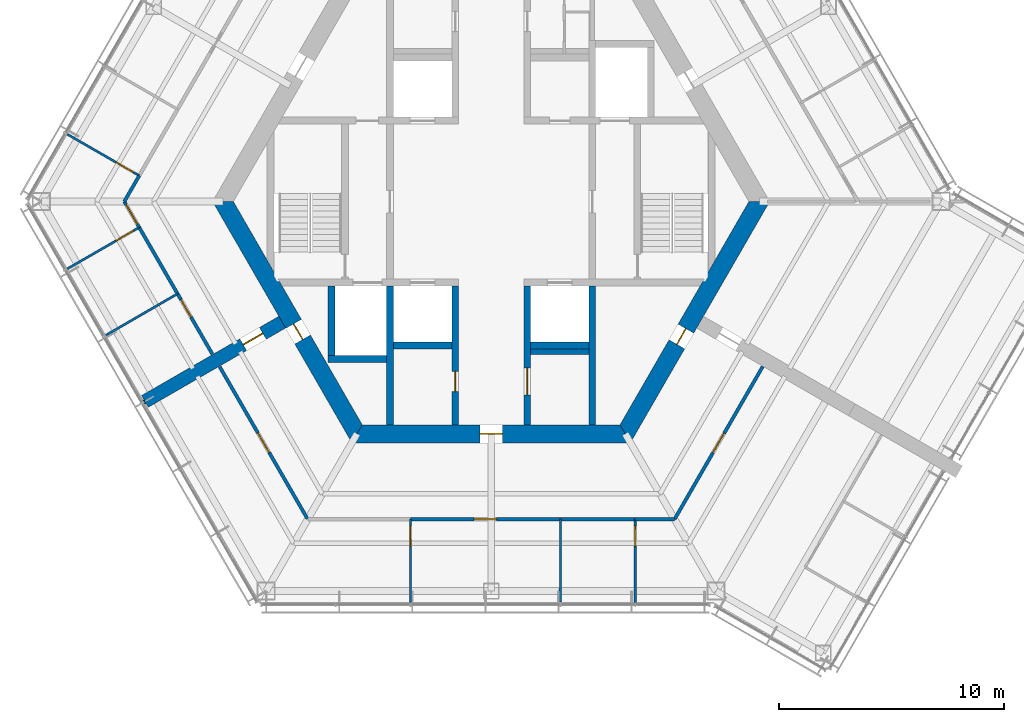
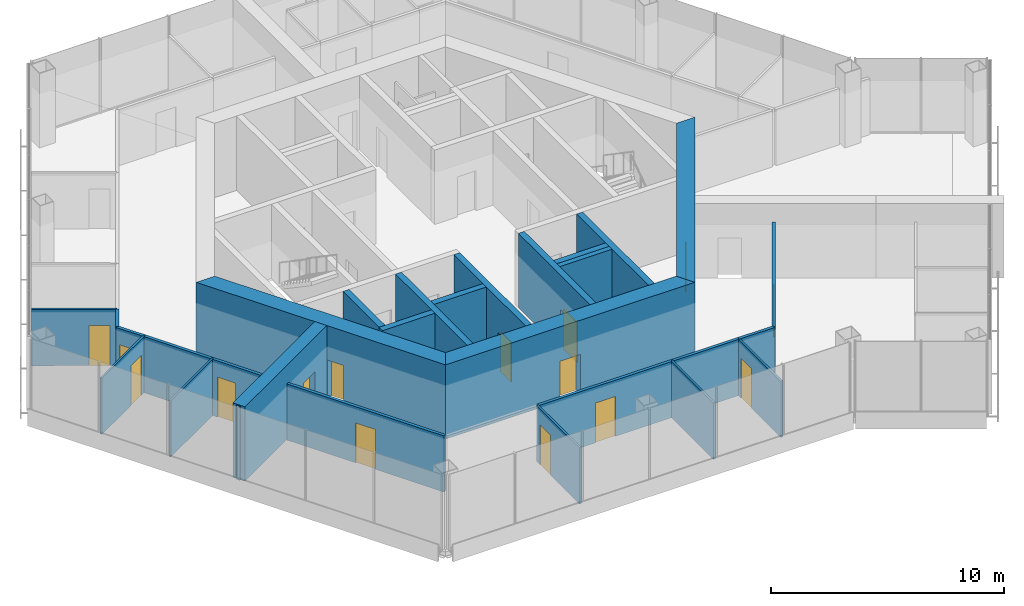
# One storey, part 7 of 13: 29 walls, 15 doors, 15 openings.
"""IFC4 building model written with IfcOpenShell, lengths in metres."""

from ifc_helpers import new_model, si_unit, direction, frame, frame_2d, origin, place, context, subcontext, project, spatial, polyline, rectangle, outline, extrude, material, layer, layer_set, type_object, element, fill, save


model = new_model("IFC4")

# Units and contexts
model_context = context("Model", 3, precision=1e-05, world=origin(), true_north=direction((0.0, 1.0)))
body_context = subcontext(model_context, "Body", "Model", "MODEL_VIEW")
ifc_project = project(units=[si_unit("LENGTHUNIT", "METRE"), si_unit("AREAUNIT", "SQUARE_METRE"), si_unit("VOLUMEUNIT", "CUBIC_METRE"), si_unit("PLANEANGLEUNIT", "RADIAN"), si_unit("MASSUNIT", "GRAM", prefix="KILO")], contexts=[model_context])

# Site, building, storey
site_placement = place(None, origin())
site = spatial("IfcSite", under=ifc_project, at=site_placement, CompositionType="ELEMENT")
building_placement = place(site_placement, origin())
building = spatial("IfcBuilding", under=site, at=building_placement, Name="Kasaneha Research Tower", CompositionType="ELEMENT")
storey_placement = place(building_placement, frame((0.0, 0.0, 286.89990234375)))
storey = spatial("IfcBuildingStorey", under=building, at=storey_placement, Name="L72", CompositionType="ELEMENT", Elevation=286.89990234375)

# Wall, opening, door
ifc_material_1 = material(Name="Concrete Fc60", Category="concrete")
ifc_layer_1 = layer(ifc_material_1, 0.300048828125)
ifc_layer_set_1 = layer_set([ifc_layer_1], Name="Core internal wall 300 Fc60")
wall_type_1 = type_object("IfcWallType", Name="Core internal wall 300 Fc60", PredefinedType="SHEAR", material=ifc_layer_set_1)
wall_1_placement = place(storey_placement, frame((-1.60009765625, -3.75, 0.0), z_axis=(0.0, 0.0, 1.0), x_axis=(0.0, -1.0, 0.0)))
wall_1 = element("IfcWall", 1, at=wall_1_placement, inside=storey, type_object=wall_type_1, Name="Core wall CSW L72", PredefinedType="SHEAR", context=body_context, shape_type="SweptSolid", body=[
    extrude(rectangle(XDim=6.175048828125, YDim=0.300048828125, at=frame_2d((3.08740234375, 0.0))), origin(), (0.0, 0.0, 1.0), 3.900146484375),
])
opening_1_placement = place(wall_1_placement, frame((3.800048828125, 0.0, 0.0)))
opening_1 = element("IfcOpeningElement", 2, at=opening_1_placement, cuts=wall_1, Name="Opening L72-D16", PredefinedType="OPENING", context=body_context, shape_type="SweptSolid", body=[
    extrude(rectangle(XDim=0.89990234375, YDim=2.10009765625, at=frame_2d((0.449951171875, 1.050048828125))), frame((0.0, 0.16015625, 0.0), z_axis=(0.0, -1.0, 0.0), x_axis=(1.0, 0.0, 0.0)), (0.0, 0.0, 1.0), 0.320068359375),
])
ifc_material_2 = material(Name="Steel", Category="steel")
door_type_1 = type_object("IfcDoorType", Name="Riser access door FD60 900x2100", OperationType="NOTDEFINED", PredefinedType="DOOR", material=ifc_material_2)
door_1_placement = place(opening_1_placement, origin())
door_1 = element("IfcDoor", 3, at=door_1_placement, inside=storey, type_object=door_type_1, Name="Electrical riser door L72-D16", OperationType="SINGLE_SWING_LEFT", OverallHeight=2.10009765625, OverallWidth=0.89990234375, PredefinedType="DOOR", context=body_context, shape_type="SweptSolid", body=[
    extrude(rectangle(XDim=0.89990234375, YDim=2.10009765625, at=frame_2d((0.449951171875, 1.050048828125))), frame((0.0, 0.02490234375, 0.0), z_axis=(0.0, -1.0, 0.0), x_axis=(1.0, 0.0, 0.0)), (0.0, 0.0, 1.0), 0.050048828125),
])
fill(opening_1, door_1)

wall_2_placement = place(storey_placement, frame((1.60009765625, -3.75, 0.0), z_axis=(0.0, 0.0, 1.0), x_axis=(0.0, -1.0, 0.0)))
wall_2 = element("IfcWall", 4, at=wall_2_placement, inside=storey, type_object=wall_type_1, Name="Core wall CSE L72", PredefinedType="SHEAR", context=body_context, shape_type="SweptSolid", body=[
    extrude(rectangle(XDim=6.175048828125, YDim=0.300048828125, at=frame_2d((3.08740234375, 0.0))), origin(), (0.0, 0.0, 1.0), 3.900146484375),
])
opening_2_placement = place(wall_2_placement, frame((3.64990234375, 0.0, 0.0)))
opening_2 = element("IfcOpeningElement", 5, at=opening_2_placement, cuts=wall_2, Name="Opening L72-D15", PredefinedType="OPENING", context=body_context, shape_type="SweptSolid", body=[
    extrude(rectangle(XDim=1.199951171875, YDim=2.10009765625, at=frame_2d((0.60009765625, 1.050048828125))), frame((0.0, 0.16015625, 0.0), z_axis=(0.0, -1.0, 0.0), x_axis=(1.0, 0.0, 0.0)), (0.0, 0.0, 1.0), 0.320068359375),
])
ifc_material_3 = material(Name="Steel", Category="steel")
door_type_2 = type_object("IfcDoorType", Name="Accessible toilet sliding door FD20 1200x2100", OperationType="SLIDING_TO_LEFT", PredefinedType="DOOR", material=ifc_material_3)
door_2_placement = place(opening_2_placement, origin())
door_2 = element("IfcDoor", 6, at=door_2_placement, inside=storey, type_object=door_type_2, Name="Accessible WC door L72-D15", OperationType="SLIDING_TO_LEFT", OverallHeight=2.10009765625, OverallWidth=1.199951171875, PredefinedType="DOOR", context=body_context, shape_type="SweptSolid", body=[
    extrude(rectangle(XDim=1.199951171875, YDim=2.10009765625, at=frame_2d((0.60009765625, 1.050048828125))), frame((0.0, 0.02490234375, 0.0), z_axis=(0.0, -1.0, 0.0), x_axis=(1.0, 0.0, 0.0)), (0.0, 0.0, 1.0), 0.050048828125),
])
fill(opening_2, door_2)

# Walls
for number, where, z_axis, x_axis, name in (
    (7, (-4.5, -3.75, 0.0), (0.0, 0.0, 1.0), (0.0, -1.0, 0.0), "Core wall SSW L72"),
    (8, (4.5, -3.75, 0.0), (0.0, 0.0, 1.0), (0.0, -1.0, 0.0), "Core wall SSE L72"),
):
    element("IfcWall", number, at=place(storey_placement, frame(where, z_axis=z_axis, x_axis=x_axis)), inside=storey, type_object=wall_type_1, Name=name, PredefinedType="SHEAR", context=body_context, shape_type="SweptSolid", body=[
        extrude(rectangle(XDim=6.175048828125, YDim=0.300048828125, at=frame_2d((3.08740234375, 0.0))), origin(), (0.0, 0.0, 1.0), 3.900146484375),
    ])
for number, where, z_axis, x_axis, name in (
    (9, (-4.35009765625, -6.39990234375, 0.0), (0.0, 0.0, 1.0), (1.0, 0.0, 0.0), "Core wall S1S L72"),
    (10, (1.75, -6.39990234375, 0.0), (0.0, 0.0, 1.0), (1.0, 0.0, 0.0), "Core wall S3S L72"),
    (11, (-7.25, -7.0, 0.0), (0.0, 0.0, 1.0), (1.0, 0.0, 0.0), "Core wall F2S L72"),
):
    element("IfcWall", number, at=place(storey_placement, frame(where, z_axis=z_axis, x_axis=x_axis)), inside=storey, type_object=wall_type_1, Name=name, PredefinedType="SHEAR", context=body_context, shape_type="SweptSolid", body=[
        extrude(rectangle(XDim=2.60009765625, YDim=0.300048828125, at=frame_2d((1.300048828125, 0.0))), origin(), (0.0, 0.0, 1.0), 3.900146484375),
    ])
wall_3_placement = place(storey_placement, frame((-7.10009765625, -3.75, 0.0), z_axis=(0.0, 0.0, 1.0), x_axis=(0.0, -1.0, 0.0)))
element("IfcWall", 12, at=wall_3_placement, inside=storey, type_object=wall_type_1, Name="Core wall F2W L72", PredefinedType="SHEAR", context=body_context, shape_type="SweptSolid", body=[
    extrude(rectangle(XDim=3.10009765625, YDim=0.300048828125, at=frame_2d((1.550048828125, 0.0))), origin(), (0.0, 0.0, 1.0), 3.900146484375),
])

# Wall, opening, door
ifc_material_4 = material(Name="Concrete Fc60", Category="concrete")
ifc_layer_2 = layer(ifc_material_4, 0.800048828125)
ifc_layer_set_2 = layer_set([ifc_layer_2], Name="Core wall 800 Fc60")
wall_type_2 = type_object("IfcWallType", Name="Core wall 800 Fc60", PredefinedType="SHEAR", material=ifc_layer_set_2)
wall_4_placement = place(storey_placement, frame((-11.92236328125, 0.0, 0.0), z_axis=(0.0, 0.0, 1.0), x_axis=(0.500004296715, -0.866022923061, 0.0)))
wall_4 = element("IfcWall", 13, at=wall_4_placement, inside=storey, type_object=wall_type_2, Name="Core wall 210 L72", PredefinedType="SHEAR", context=body_context, shape_type="SweptSolid", body=[
    extrude(outline(polyline([(-0.23095703125, -0.39990234375), (6.28125, -0.39990234375), (7.081298828125, -0.39990234375), (12.1533203125, -0.39990234375), (11.69140625, 0.39990234375), (7.081298828125, 0.39990234375), (6.28125, 0.39990234375), (0.23095703125, 0.39990234375), (-0.23095703125, -0.39990234375)])), origin(), (0.0, 0.0, 1.0), 3.900146484375),
])
opening_3_placement = place(wall_4_placement, frame((6.28125, 0.0, 0.0)))
opening_3 = element("IfcOpeningElement", 14, at=opening_3_placement, cuts=wall_4, Name="Opening L72-D06", PredefinedType="OPENING", context=body_context, shape_type="SweptSolid", body=[
    extrude(rectangle(XDim=0.800048828125, YDim=2.10009765625, at=frame_2d((0.39990234375, 1.050048828125))), frame((0.0, 0.41015625, 0.0), z_axis=(0.0, -1.0, 0.0), x_axis=(1.0, 0.0, 0.0)), (0.0, 0.0, 1.0), 0.820068359375),
])
ifc_material_5 = material(Name="Steel", Category="steel")
door_type_3 = type_object("IfcDoorType", Name="Riser access door FD60 800x2100", OperationType="NOTDEFINED", PredefinedType="DOOR", material=ifc_material_5)
door_3_placement = place(opening_3_placement, origin())
door_3 = element("IfcDoor", 15, at=door_3_placement, inside=storey, type_object=door_type_3, Name="Duct riser door L72-D06", OperationType="SINGLE_SWING_RIGHT", OverallHeight=2.10009765625, OverallWidth=0.800048828125, PredefinedType="DOOR", context=body_context, shape_type="SweptSolid", body=[
    extrude(rectangle(XDim=0.800048828125, YDim=2.10009765625, at=frame_2d((0.39990234375, 1.050048828125))), frame((0.0, 0.02490234375, 0.0), z_axis=(0.0, -1.0, 0.0), x_axis=(1.0, 0.0, 0.0)), (0.0, 0.0, 1.0), 0.050048828125),
])
fill(opening_3, door_3)

wall_5_placement = place(storey_placement, frame((-5.961181640625, -10.324951171875, 0.0), z_axis=(0.0, 0.0, 1.0), x_axis=(1.0, 0.0, 0.0)))
wall_5 = element("IfcWall", 16, at=wall_5_placement, inside=storey, type_object=wall_type_2, Name="Core wall 270 L72", PredefinedType="SHEAR", context=body_context, shape_type="SweptSolid", body=[
    extrude(outline(polyline([(-0.23095703125, -0.39990234375), (5.461181640625, -0.39990234375), (6.461181640625, -0.39990234375), (12.1533203125, -0.39990234375), (11.69140625, 0.39990234375), (6.461181640625, 0.39990234375), (5.461181640625, 0.39990234375), (0.23095703125, 0.39990234375), (-0.23095703125, -0.39990234375)])), origin(), (0.0, 0.0, 1.0), 3.900146484375),
])
opening_4_placement = place(wall_5_placement, frame((5.461181640625, 0.0, 0.0)))
opening_4 = element("IfcOpeningElement", 17, at=opening_4_placement, cuts=wall_5, Name="Opening L72-D03", PredefinedType="OPENING", context=body_context, shape_type="SweptSolid", body=[
    extrude(rectangle(XDim=1.0, YDim=2.10009765625, at=frame_2d((0.5, 1.050048828125))), frame((0.0, 0.41015625, 0.0), z_axis=(0.0, -1.0, 0.0), x_axis=(1.0, 0.0, 0.0)), (0.0, 0.0, 1.0), 0.820068359375),
])
ifc_material_6 = material(Name="Steel", Category="steel")
door_type_4 = type_object("IfcDoorType", Name="Fire door FD20 1000x2100", OperationType="NOTDEFINED", PredefinedType="DOOR", material=ifc_material_6)
door_4_placement = place(opening_4_placement, origin())
door_4 = element("IfcDoor", 18, at=door_4_placement, inside=storey, type_object=door_type_4, Name="Core door south L72-D03", OperationType="SINGLE_SWING_LEFT", OverallHeight=2.10009765625, OverallWidth=1.0, PredefinedType="DOOR", context=body_context, shape_type="SweptSolid", body=[
    extrude(rectangle(XDim=1.0, YDim=2.10009765625, at=frame_2d((0.5, 1.050048828125))), frame((0.0, 0.02490234375, 0.0), z_axis=(0.0, -1.0, 0.0), x_axis=(1.0, 0.0, 0.0)), (0.0, 0.0, 1.0), 0.050048828125),
])
fill(opening_4, door_4)

wall_6_placement = place(storey_placement, frame((5.961181640625, -10.324951171875, 0.0), z_axis=(0.0, 0.0, 1.0), x_axis=(0.500004296715, 0.866022923061, 0.0)))
wall_6 = element("IfcWall", 19, at=wall_6_placement, inside=storey, type_object=wall_type_2, Name="Core wall 330 L72", PredefinedType="SHEAR", context=body_context, shape_type="SweptSolid", body=[
    extrude(outline(polyline([(-0.23095703125, -0.39990234375), (4.593994140625, -0.39990234375), (5.39404296875, -0.39990234375), (12.1533203125, -0.39990234375), (11.69140625, 0.39990234375), (5.39404296875, 0.39990234375), (4.593994140625, 0.39990234375), (0.23095703125, 0.39990234375), (-0.23095703125, -0.39990234375)])), origin(), (0.0, 0.0, 1.0), 3.900146484375),
])
opening_5_placement = place(wall_6_placement, frame((4.593994140625, 0.0, 0.0)))
opening_5 = element("IfcOpeningElement", 20, at=opening_5_placement, cuts=wall_6, Name="Opening L72-D05", PredefinedType="OPENING", context=body_context, shape_type="SweptSolid", body=[
    extrude(rectangle(XDim=0.800048828125, YDim=2.10009765625, at=frame_2d((0.39990234375, 1.050048828125))), frame((0.0, 0.41015625, 0.0), z_axis=(0.0, -1.0, 0.0), x_axis=(1.0, 0.0, 0.0)), (0.0, 0.0, 1.0), 0.820068359375),
])
door_5_placement = place(opening_5_placement, origin())
door_5 = element("IfcDoor", 21, at=door_5_placement, inside=storey, type_object=door_type_3, Name="Pipe riser door L72-D05", OperationType="SINGLE_SWING_LEFT", OverallHeight=2.10009765625, OverallWidth=0.800048828125, PredefinedType="DOOR", context=body_context, shape_type="SweptSolid", body=[
    extrude(rectangle(XDim=0.800048828125, YDim=2.10009765625, at=frame_2d((0.39990234375, 1.050048828125))), frame((0.0, 0.02490234375, 0.0), z_axis=(0.0, -1.0, 0.0), x_axis=(1.0, 0.0, 0.0)), (0.0, 0.0, 1.0), 0.050048828125),
])
fill(opening_5, door_5)

# Wall
ifc_material_7 = material(Name="Gypsum board on steel studs, one layer each side", Category="steel")
ifc_layer_3 = layer(ifc_material_7, 0.10009765625)
ifc_layer_set_3 = layer_set([ifc_layer_3], Name="Office partition 100")
wall_type_3 = type_object("IfcWallType", Name="Office partition 100", PredefinedType="PARTITIONING", material=ifc_layer_set_3)
wall_7_placement = place(storey_placement, frame((-13.94287109375, -4.100341796875, 0.0), z_axis=(0.0, 0.0, 1.0), x_axis=(-0.865338346589, -0.50118813426, 0.0)))
element("IfcWall", 22, at=wall_7_placement, inside=storey, type_object=wall_type_3, Name="Office partition FBN09 L72", PredefinedType="PARTITIONING", context=body_context, shape_type="SweptSolid", body=[
    extrude(rectangle(XDim=3.67529296875, YDim=0.10009765625, at=frame_2d((1.837646484375, 0.0))), origin(), (0.0, 0.0, 1.0), 2.9501953125),
])

# Wall, opening, door
wall_8_placement = place(storey_placement, frame((-18.83984375, -2.989501953125, 0.0), z_axis=(0.0, 0.0, 1.0), x_axis=(0.866640684195, 0.498932785551, 0.0)))
wall_8 = element("IfcWall", 23, at=wall_8_placement, inside=storey, type_object=wall_type_3, Name="Office partition FBN10 L72", PredefinedType="PARTITIONING", context=body_context, shape_type="SweptSolid", body=[
    extrude(rectangle(XDim=3.685546875, YDim=0.10009765625, at=frame_2d((1.8427734375, 0.0))), origin(), (0.0, 0.0, 1.0), 2.9501953125),
])
opening_6_placement = place(wall_8_placement, frame((2.485595703125, 0.0, 0.0)))
opening_6 = element("IfcOpeningElement", 24, at=opening_6_placement, cuts=wall_8, Name="Opening L72-D35", PredefinedType="OPENING", context=body_context, shape_type="SweptSolid", body=[
    extrude(rectangle(XDim=0.89990234375, YDim=2.10009765625, at=frame_2d((0.449951171875, 1.050048828125))), frame((0.0, 0.06005859375, 0.0), z_axis=(0.0, -1.0, 0.0), x_axis=(1.0, 0.0, 0.0)), (0.0, 0.0, 1.0), 0.1201171875),
])
ifc_material_8 = material(Name="Timber veneer", Category="wood")
door_type_5 = type_object("IfcDoorType", Name="Office door 900x2100", OperationType="SINGLE_SWING_LEFT", PredefinedType="DOOR", material=ifc_material_8)
door_6_placement = place(opening_6_placement, origin())
door_6 = element("IfcDoor", 25, at=door_6_placement, inside=storey, type_object=door_type_5, Name="Executive office door L72-D35", OperationType="SINGLE_SWING_RIGHT", OverallHeight=2.10009765625, OverallWidth=0.89990234375, PredefinedType="DOOR", context=body_context, shape_type="SweptSolid", body=[
    extrude(rectangle(XDim=0.89990234375, YDim=2.10009765625, at=frame_2d((0.449951171875, 1.050048828125))), frame((0.0, 0.02490234375, 0.0), z_axis=(0.0, -1.0, 0.0), x_axis=(1.0, 0.0, 0.0)), (0.0, 0.0, 1.0), 0.050048828125),
])
fill(opening_6, door_6)

wall_9_placement = place(storey_placement, frame((-15.645751953125, 1.150634765625, 0.0), z_axis=(0.0, 0.0, 1.0), x_axis=(-0.866640684195, 0.498932785551, 0.0)))
wall_9 = element("IfcWall", 26, at=wall_9_placement, inside=storey, type_object=wall_type_3, Name="Office partition FBN12 L72", PredefinedType="PARTITIONING", context=body_context, shape_type="SweptSolid", body=[
    extrude(rectangle(XDim=3.685546875, YDim=0.10009765625, at=frame_2d((1.8427734375, 0.0))), origin(), (0.0, 0.0, 1.0), 2.9501953125),
])
opening_7_placement = place(wall_9_placement, frame((0.300048828125, 0.0, 0.0)))
opening_7 = element("IfcOpeningElement", 27, at=opening_7_placement, cuts=wall_9, Name="Opening L72-D36", PredefinedType="OPENING", context=body_context, shape_type="SweptSolid", body=[
    extrude(rectangle(XDim=0.89990234375, YDim=2.10009765625, at=frame_2d((0.449951171875, 1.050048828125))), frame((0.0, 0.06005859375, 0.0), z_axis=(0.0, -1.0, 0.0), x_axis=(1.0, 0.0, 0.0)), (0.0, 0.0, 1.0), 0.1201171875),
])
door_7_placement = place(opening_7_placement, origin())
door_7 = element("IfcDoor", 28, at=door_7_placement, inside=storey, type_object=door_type_5, Name="Phone room door L72-D36", OperationType="SINGLE_SWING_LEFT", OverallHeight=2.10009765625, OverallWidth=0.89990234375, PredefinedType="DOOR", context=body_context, shape_type="SweptSolid", body=[
    extrude(rectangle(XDim=0.89990234375, YDim=2.10009765625, at=frame_2d((0.449951171875, 1.050048828125))), frame((0.0, 0.02490234375, 0.0), z_axis=(0.0, -1.0, 0.0), x_axis=(1.0, 0.0, 0.0)), (0.0, 0.0, 1.0), 0.050048828125),
])
fill(opening_7, door_7)

wall_10_placement = place(storey_placement, frame((6.40380859375, -14.125, 0.0), z_axis=(0.0, 0.0, 1.0), x_axis=(0.001250163518, -0.999999218545, 0.0)))
wall_10 = element("IfcWall", 29, at=wall_10_placement, inside=storey, type_object=wall_type_3, Name="Office partition FCS06 L72", PredefinedType="PARTITIONING", context=body_context, shape_type="SweptSolid", body=[
    extrude(rectangle(XDim=3.71044921875, YDim=0.10009765625, at=frame_2d((1.855224609375, 0.0))), origin(), (0.0, 0.0, 1.0), 2.9501953125),
])
opening_8_placement = place(wall_10_placement, frame((0.300048828125, 0.0, 0.0)))
opening_8 = element("IfcOpeningElement", 30, at=opening_8_placement, cuts=wall_10, Name="Opening L72-D40", PredefinedType="OPENING", context=body_context, shape_type="SweptSolid", body=[
    extrude(rectangle(XDim=0.89990234375, YDim=2.10009765625, at=frame_2d((0.449951171875, 1.050048828125))), frame((0.0, 0.06005859375, 0.0), z_axis=(0.0, -1.0, 0.0), x_axis=(1.0, 0.0, 0.0)), (0.0, 0.0, 1.0), 0.1201171875),
])
door_8_placement = place(opening_8_placement, origin())
door_8 = element("IfcDoor", 31, at=door_8_placement, inside=storey, type_object=door_type_5, Name="Reading room door L72-D40", OperationType="SINGLE_SWING_LEFT", OverallHeight=2.10009765625, OverallWidth=0.89990234375, PredefinedType="DOOR", context=body_context, shape_type="SweptSolid", body=[
    extrude(rectangle(XDim=0.89990234375, YDim=2.10009765625, at=frame_2d((0.449951171875, 1.050048828125))), frame((0.0, 0.02490234375, 0.0), z_axis=(0.0, -1.0, 0.0), x_axis=(1.0, 0.0, 0.0)), (0.0, 0.0, 1.0), 0.050048828125),
])
fill(opening_8, door_8)

# Wall
wall_11_placement = place(storey_placement, frame((3.077392578125, -17.800537109375, 0.0), z_axis=(0.0, 0.0, 1.0), x_axis=(0.00119561522, 0.999999285252, 0.0)))
element("IfcWall", 32, at=wall_11_placement, inside=storey, type_object=wall_type_3, Name="Office partition FCS07 L72", PredefinedType="PARTITIONING", context=body_context, shape_type="SweptSolid", body=[
    extrude(rectangle(XDim=3.675537109375, YDim=0.10009765625, at=frame_2d((1.837890625, 0.0))), origin(), (0.0, 0.0, 1.0), 2.9501953125),
])

# Wall, opening, door
wall_12_placement = place(storey_placement, frame((-3.589111328125, -14.125, 0.0), z_axis=(0.0, 0.0, 1.0), x_axis=(0.001250163518, -0.999999218545, 0.0)))
wall_12 = element("IfcWall", 33, at=wall_12_placement, inside=storey, type_object=wall_type_3, Name="Office partition FCS08 L72", PredefinedType="PARTITIONING", context=body_context, shape_type="SweptSolid", body=[
    extrude(rectangle(XDim=3.71044921875, YDim=0.10009765625, at=frame_2d((1.855224609375, 0.0))), origin(), (0.0, 0.0, 1.0), 2.9501953125),
])
opening_9_placement = place(wall_12_placement, frame((0.300048828125, 0.0, 0.0)))
opening_9 = element("IfcOpeningElement", 34, at=opening_9_placement, cuts=wall_12, Name="Opening L72-D41", PredefinedType="OPENING", context=body_context, shape_type="SweptSolid", body=[
    extrude(rectangle(XDim=0.89990234375, YDim=2.10009765625, at=frame_2d((0.449951171875, 1.050048828125))), frame((0.0, 0.06005859375, 0.0), z_axis=(0.0, -1.0, 0.0), x_axis=(1.0, 0.0, 0.0)), (0.0, 0.0, 1.0), 0.1201171875),
])
door_9_placement = place(opening_9_placement, origin())
door_9 = element("IfcDoor", 35, at=door_9_placement, inside=storey, type_object=door_type_5, Name="Project room door L72-D41", OperationType="SINGLE_SWING_LEFT", OverallHeight=2.10009765625, OverallWidth=0.89990234375, PredefinedType="DOOR", context=body_context, shape_type="SweptSolid", body=[
    extrude(rectangle(XDim=0.89990234375, YDim=2.10009765625, at=frame_2d((0.449951171875, 1.050048828125))), frame((0.0, 0.02490234375, 0.0), z_axis=(0.0, -1.0, 0.0), x_axis=(1.0, 0.0, 0.0)), (0.0, 0.0, 1.0), 0.050048828125),
])
fill(opening_9, door_9)

ifc_material_9 = material(Name="Concrete Fc60", Category="concrete")
ifc_layer_4 = layer(ifc_material_9, 0.60009765625)
ifc_layer_set_4 = layer_set([ifc_layer_4], Name="Spine wall 600 Fc60")
wall_type_4 = type_object("IfcWallType", Name="Spine wall 600 Fc60", PredefinedType="SHEAR", material=ifc_layer_set_4)
wall_13_placement = place(storey_placement, frame((-9.2880859375, -5.362548828125, 0.0), z_axis=(0.0, 0.0, 1.0), x_axis=(-0.866027473358, -0.499996415376, 0.0)))
wall_13 = element("IfcWall", 36, at=wall_13_placement, inside=storey, type_object=wall_type_4, Name="Spine wall B L72", PredefinedType="SHEAR", context=body_context, shape_type="SweptSolid", body=[
    extrude(rectangle(XDim=7.04541015625, YDim=0.60009765625, at=frame_2d((3.522705078125, 0.0))), origin(), (0.0, 0.0, 1.0), 3.900146484375),
])
opening_10_placement = place(wall_13_placement, frame((1.0, 0.0, 0.0)))
opening_10 = element("IfcOpeningElement", 37, at=opening_10_placement, cuts=wall_13, Name="Opening L72-D19", PredefinedType="OPENING", context=body_context, shape_type="SweptSolid", body=[
    extrude(rectangle(XDim=1.0, YDim=2.10009765625, at=frame_2d((0.5, 1.050048828125))), frame((0.0, 0.31005859375, 0.0), z_axis=(0.0, -1.0, 0.0), x_axis=(1.0, 0.0, 0.0)), (0.0, 0.0, 1.0), 0.6201171875),
])
ifc_material_10 = material(Name="Steel", Category="steel")
door_type_6 = type_object("IfcDoorType", Name="Specified fire door FD60 1000x2100", OperationType="NOTDEFINED", PredefinedType="DOOR", material=ifc_material_10)
door_10_placement = place(opening_10_placement, origin())
door_10 = element("IfcDoor", 38, at=door_10_placement, inside=storey, type_object=door_type_6, Name="Spine doorway B L72-D19", OperationType="SINGLE_SWING_LEFT", OverallHeight=2.10009765625, OverallWidth=1.0, PredefinedType="DOOR", context=body_context, shape_type="SweptSolid", body=[
    extrude(rectangle(XDim=1.0, YDim=2.10009765625, at=frame_2d((0.5, 1.050048828125))), frame((0.0, 0.02490234375, 0.0), z_axis=(0.0, -1.0, 0.0), x_axis=(1.0, 0.0, 0.0)), (0.0, 0.0, 1.0), 0.050048828125),
])
fill(opening_10, door_10)

# Wall
ifc_material_11 = material(Name="Gypsum board on steel studs, two layers each side", Category="steel")
ifc_layer_5 = layer(ifc_material_11, 0.14990234375)
ifc_layer_set_5 = layer_set([ifc_layer_5], Name="Suite partition 150")
wall_type_5 = type_object("IfcWallType", Name="Suite partition 150", PredefinedType="PARTITIONING", material=ifc_layer_set_5)
wall_14_placement = place(storey_placement, frame((-13.937744140625, -4.10888671875, 0.0), z_axis=(0.0, 0.0, 1.0), x_axis=(-0.500032973541, 0.866006365664, 0.0)))
element("IfcWall", 39, at=wall_14_placement, inside=storey, type_object=wall_type_5, Name="Suite partition FBN02 L72", PredefinedType="PARTITIONING", context=body_context, shape_type="SweptSolid", body=[
    extrude(rectangle(XDim=3.425537109375, YDim=0.14990234375, at=frame_2d((1.712890625, 0.0))), origin(), (0.0, 0.0, 1.0), 2.9501953125),
])

# Wall, opening, door
wall_15_placement = place(storey_placement, frame((-12.392578125, -6.785400390625, 0.0), z_axis=(0.0, 0.0, 1.0), x_axis=(-0.500017819788, 0.86601511528, 0.0)))
wall_15 = element("IfcWall", 40, at=wall_15_placement, inside=storey, type_object=wall_type_5, Name="Suite partition FBN03 L72", PredefinedType="PARTITIONING", context=body_context, shape_type="SweptSolid", body=[
    extrude(rectangle(XDim=3.1005859375, YDim=0.14990234375, at=frame_2d((1.55029296875, 0.0))), origin(), (0.0, 0.0, 1.0), 2.9501953125),
])
opening_11_placement = place(wall_15_placement, frame((1.900390625, 0.0, 0.0)))
opening_11 = element("IfcOpeningElement", 41, at=opening_11_placement, cuts=wall_15, Name="Opening L72-D31", PredefinedType="OPENING", context=body_context, shape_type="SweptSolid", body=[
    extrude(rectangle(XDim=0.89990234375, YDim=2.10009765625, at=frame_2d((0.449951171875, 1.050048828125))), frame((0.0, 0.0849609375, 0.0), z_axis=(0.0, -1.0, 0.0), x_axis=(1.0, 0.0, 0.0)), (0.0, 0.0, 1.0), 0.169921875),
])
door_11_placement = place(opening_11_placement, origin())
door_11 = element("IfcDoor", 42, at=door_11_placement, inside=storey, type_object=door_type_5, Name="Executive office door L72-D31", OperationType="SINGLE_SWING_RIGHT", OverallHeight=2.10009765625, OverallWidth=0.89990234375, PredefinedType="DOOR", context=body_context, shape_type="SweptSolid", body=[
    extrude(rectangle(XDim=0.89990234375, YDim=2.10009765625, at=frame_2d((0.449951171875, 1.050048828125))), frame((0.0, 0.02490234375, 0.0), z_axis=(0.0, -1.0, 0.0), x_axis=(1.0, 0.0, 0.0)), (0.0, 0.0, 1.0), 0.050048828125),
])
fill(opening_11, door_11)

# Wall
wall_16_placement = place(storey_placement, frame((-16.31005859375, 0.0, 0.0), z_axis=(0.0, 0.0, 1.0), x_axis=(0.49999285859, 0.86602952684, 0.0)))
element("IfcWall", 43, at=wall_16_placement, inside=storey, type_object=wall_type_5, Name="Suite partition FBN06 L72", PredefinedType="PARTITIONING", context=body_context, shape_type="SweptSolid", body=[
    extrude(rectangle(XDim=1.32861328125, YDim=0.14990234375, at=frame_2d((0.664306640625, 0.0))), origin(), (0.0, 0.0, 1.0), 2.9501953125),
])

# Wall, opening, door
wall_17_placement = place(storey_placement, frame((-15.645751953125, -1.150634765625, 0.0), z_axis=(0.0, 0.0, 1.0), x_axis=(-0.49999285859, 0.86602952684, 0.0)))
wall_17 = element("IfcWall", 44, at=wall_17_placement, inside=storey, type_object=wall_type_5, Name="Suite partition FBN07 L72", PredefinedType="PARTITIONING", context=body_context, shape_type="SweptSolid", body=[
    extrude(rectangle(XDim=1.32861328125, YDim=0.14990234375, at=frame_2d((0.664306640625, 0.0))), origin(), (0.0, 0.0, 1.0), 2.9501953125),
])
opening_12_placement = place(wall_17_placement, frame((0.164306640625, 0.0, 0.0)))
opening_12 = element("IfcOpeningElement", 45, at=opening_12_placement, cuts=wall_17, Name="Opening L72-D33", PredefinedType="OPENING", context=body_context, shape_type="SweptSolid", body=[
    extrude(rectangle(XDim=1.0, YDim=2.10009765625, at=frame_2d((0.5, 1.050048828125))), frame((0.0, 0.0849609375, 0.0), z_axis=(0.0, -1.0, 0.0), x_axis=(1.0, 0.0, 0.0)), (0.0, 0.0, 1.0), 0.169921875),
])
ifc_material_12 = material(Name="Steel", Category="steel")
door_type_7 = type_object("IfcDoorType", Name="Suite entrance door FD60 1000x2100", OperationType="NOTDEFINED", PredefinedType="DOOR", material=ifc_material_12)
door_12_placement = place(opening_12_placement, origin())
door_12 = element("IfcDoor", 46, at=door_12_placement, inside=storey, type_object=door_type_7, Name="Suite entrance door L72-D33", OperationType="SINGLE_SWING_LEFT", OverallHeight=2.10009765625, OverallWidth=1.0, PredefinedType="DOOR", context=body_context, shape_type="SweptSolid", body=[
    extrude(rectangle(XDim=1.0, YDim=2.10009765625, at=frame_2d((0.5, 1.050048828125))), frame((0.0, 0.02490234375, 0.0), z_axis=(0.0, -1.0, 0.0), x_axis=(1.0, 0.0, 0.0)), (0.0, 0.0, 1.0), 0.050048828125),
])
fill(opening_12, door_12)

wall_18_placement = place(storey_placement, frame((-8.16650390625, -14.10498046875, 0.0), z_axis=(0.0, 0.0, 1.0), x_axis=(-0.500001094379, 0.866024771944, 0.0)))
wall_18 = element("IfcWall", 47, at=wall_18_placement, inside=storey, type_object=wall_type_5, Name="Suite partition FBS01 L72", PredefinedType="PARTITIONING", context=body_context, shape_type="SweptSolid", body=[
    extrude(rectangle(XDim=7.81201171875, YDim=0.14990234375, at=frame_2d((3.906005859375, 0.0))), origin(), (0.0, 0.0, 1.0), 2.9501953125),
])
opening_13_placement = place(wall_18_placement, frame((3.406005859375, 0.0, 0.0)))
opening_13 = element("IfcOpeningElement", 48, at=opening_13_placement, cuts=wall_18, Name="Opening L72-D37", PredefinedType="OPENING", context=body_context, shape_type="SweptSolid", body=[
    extrude(rectangle(XDim=1.0, YDim=2.10009765625, at=frame_2d((0.5, 1.050048828125))), frame((0.0, 0.0849609375, 0.0), z_axis=(0.0, -1.0, 0.0), x_axis=(1.0, 0.0, 0.0)), (0.0, 0.0, 1.0), 0.169921875),
])
door_13_placement = place(opening_13_placement, origin())
door_13 = element("IfcDoor", 49, at=door_13_placement, inside=storey, type_object=door_type_7, Name="Suite entrance door L72-D37", OperationType="SINGLE_SWING_LEFT", OverallHeight=2.10009765625, OverallWidth=1.0, PredefinedType="DOOR", context=body_context, shape_type="SweptSolid", body=[
    extrude(rectangle(XDim=1.0, YDim=2.10009765625, at=frame_2d((0.5, 1.050048828125))), frame((0.0, 0.02490234375, 0.0), z_axis=(0.0, -1.0, 0.0), x_axis=(1.0, 0.0, 0.0)), (0.0, 0.0, 1.0), 0.050048828125),
])
fill(opening_13, door_13)

# Walls
wall_19_placement = place(storey_placement, frame((6.413330078125, -14.125, 0.0), z_axis=(0.0, 0.0, 1.0), x_axis=(-1.0, 0.0, 0.0)))
element("IfcWall", 50, at=wall_19_placement, inside=storey, type_object=wall_type_5, Name="Suite partition FCS01 L72", PredefinedType="PARTITIONING", context=body_context, shape_type="SweptSolid", body=[
    extrude(rectangle(XDim=3.3408203125, YDim=0.14990234375, at=frame_2d((1.67041015625, 0.0))), origin(), (0.0, 0.0, 1.0), 2.9501953125),
])
wall_20_placement = place(storey_placement, frame((8.155029296875, -14.125, 0.0), z_axis=(0.0, 0.0, 1.0), x_axis=(-1.0, 0.0, 0.0)))
element("IfcWall", 51, at=wall_20_placement, inside=storey, type_object=wall_type_5, Name="Suite partition FCS03 L72", PredefinedType="PARTITIONING", context=body_context, shape_type="SweptSolid", body=[
    extrude(rectangle(XDim=1.751220703125, YDim=0.14990234375, at=frame_2d((0.87548828125, 0.0))), origin(), (0.0, 0.0, 1.0), 2.9501953125),
])

# Wall, opening, door
wall_21_placement = place(storey_placement, frame((12.072509765625, -7.339599609375, 0.0), z_axis=(0.0, 0.0, 1.0), x_axis=(-0.49999308173, -0.866029398013, 0.0)))
wall_21 = element("IfcWall", 52, at=wall_21_placement, inside=storey, type_object=wall_type_5, Name="Suite partition FCS04 L72", PredefinedType="PARTITIONING", context=body_context, shape_type="SweptSolid", body=[
    extrude(rectangle(XDim=7.8349609375, YDim=0.14990234375, at=frame_2d((3.91748046875, 0.0))), origin(), (0.0, 0.0, 1.0), 2.9501953125),
])
opening_14_placement = place(wall_21_placement, frame((3.41748046875, 0.0, 0.0)))
opening_14 = element("IfcOpeningElement", 53, at=opening_14_placement, cuts=wall_21, Name="Opening L72-D38", PredefinedType="OPENING", context=body_context, shape_type="SweptSolid", body=[
    extrude(rectangle(XDim=1.0, YDim=2.10009765625, at=frame_2d((0.5, 1.050048828125))), frame((0.0, 0.0849609375, 0.0), z_axis=(0.0, -1.0, 0.0), x_axis=(1.0, 0.0, 0.0)), (0.0, 0.0, 1.0), 0.169921875),
])
door_14_placement = place(opening_14_placement, origin())
door_14 = element("IfcDoor", 54, at=door_14_placement, inside=storey, type_object=door_type_7, Name="Suite entrance door L72-D38", OperationType="SINGLE_SWING_RIGHT", OverallHeight=2.10009765625, OverallWidth=1.0, PredefinedType="DOOR", context=body_context, shape_type="SweptSolid", body=[
    extrude(rectangle(XDim=1.0, YDim=2.10009765625, at=frame_2d((0.5, 1.050048828125))), frame((0.0, 0.02490234375, 0.0), z_axis=(0.0, -1.0, 0.0), x_axis=(1.0, 0.0, 0.0)), (0.0, 0.0, 1.0), 0.050048828125),
])
fill(opening_14, door_14)

wall_22_placement = place(storey_placement, frame((3.081787109375, -14.125, 0.0), z_axis=(0.0, 0.0, 1.0), x_axis=(-1.0, 0.0, 0.0)))
wall_22 = element("IfcWall", 55, at=wall_22_placement, inside=storey, type_object=wall_type_5, Name="Suite partition FCS05 L72", PredefinedType="PARTITIONING", context=body_context, shape_type="SweptSolid", body=[
    extrude(rectangle(XDim=6.6708984375, YDim=0.14990234375, at=frame_2d((3.33544921875, 0.0))), origin(), (0.0, 0.0, 1.0), 2.9501953125),
])
opening_15_placement = place(wall_22_placement, frame((2.83544921875, 0.0, 0.0)))
opening_15 = element("IfcOpeningElement", 56, at=opening_15_placement, cuts=wall_22, Name="Opening L72-D39", PredefinedType="OPENING", context=body_context, shape_type="SweptSolid", body=[
    extrude(rectangle(XDim=1.0, YDim=2.10009765625, at=frame_2d((0.5, 1.050048828125))), frame((0.0, 0.0849609375, 0.0), z_axis=(0.0, -1.0, 0.0), x_axis=(1.0, 0.0, 0.0)), (0.0, 0.0, 1.0), 0.169921875),
])
door_15_placement = place(opening_15_placement, origin())
door_15 = element("IfcDoor", 57, at=door_15_placement, inside=storey, type_object=door_type_7, Name="Suite entrance door L72-D39", OperationType="SINGLE_SWING_LEFT", OverallHeight=2.10009765625, OverallWidth=1.0, PredefinedType="DOOR", context=body_context, shape_type="SweptSolid", body=[
    extrude(rectangle(XDim=1.0, YDim=2.10009765625, at=frame_2d((0.5, 1.050048828125))), frame((0.0, 0.02490234375, 0.0), z_axis=(0.0, -1.0, 0.0), x_axis=(1.0, 0.0, 0.0)), (0.0, 0.0, 1.0), 0.050048828125),
])
fill(opening_15, door_15)

# Walls
ifc_material_13 = material(Name="Gypsum board on steel studs, two layers each side", Category="steel")
ifc_layer_6 = layer(ifc_material_13, 0.175048828125)
ifc_layer_set_6 = layer_set([ifc_layer_6], Name="Tenancy fire partition 175")
wall_type_6 = type_object("IfcWallType", Name="Tenancy fire partition 175", PredefinedType="PARTITIONING", material=ifc_layer_set_6)
wall_23_placement = place(storey_placement, frame((-15.3896484375, -8.88525390625, 0.0), z_axis=(0.0, 0.0, 1.0), x_axis=(-0.866622456874, -0.498964444867, 0.0)))
element("IfcWall", 58, at=wall_23_placement, inside=storey, type_object=wall_type_6, Name="Spine wall closer SW4-600 L72", PredefinedType="PARTITIONING", context=body_context, shape_type="SweptSolid", body=[
    extrude(rectangle(XDim=0.065185546875, YDim=0.175048828125, at=frame_2d((0.03271484375, 0.0))), origin(), (0.0, 0.0, 1.0), 3.900146484375),
])
ifc_material_14 = material(Name="Concrete block lining", Category="concrete")
ifc_layer_7 = layer(ifc_material_14, 0.25)
ifc_layer_set_7 = layer_set([ifc_layer_7], Name="WC plumbing wall 250")
wall_type_7 = type_object("IfcWallType", Name="WC plumbing wall 250", PredefinedType="PLUMBINGWALL", material=ifc_layer_set_7)
wall_24_placement = place(storey_placement, frame((1.75, -6.675048828125, 0.0), z_axis=(0.0, 0.0, 1.0), x_axis=(1.0, 0.0, 0.0)))
element("IfcWall", 59, at=wall_24_placement, inside=storey, type_object=wall_type_7, Name="WC plumbing wall A L72", PredefinedType="PLUMBINGWALL", context=body_context, shape_type="SweptSolid", body=[
    extrude(rectangle(XDim=2.60009765625, YDim=0.25, at=frame_2d((1.300048828125, 0.0))), origin(), (0.0, 0.0, 1.0), 3.900146484375),
])

save(model, "model.ifc")
